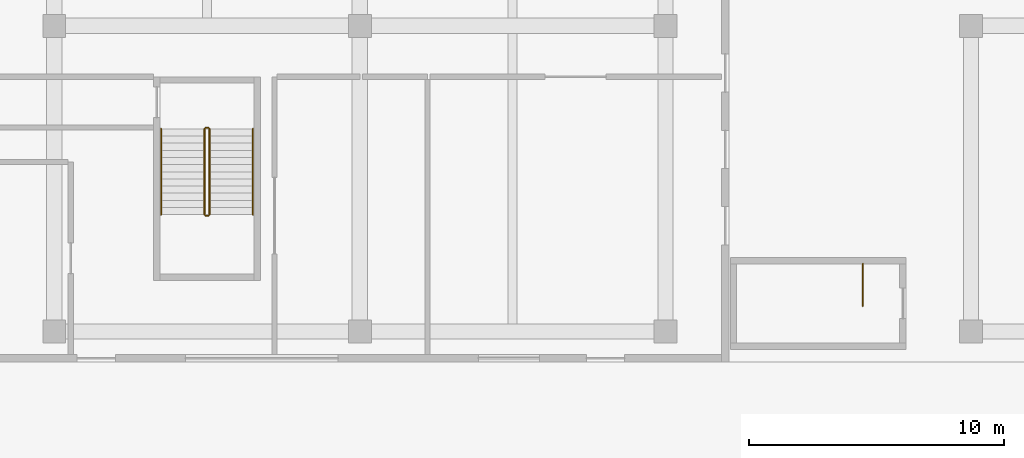
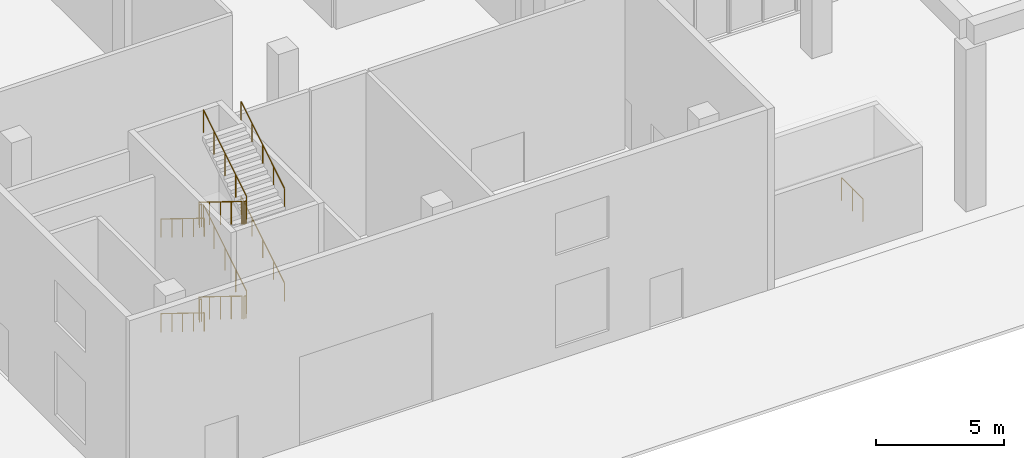
# One storey, part 31 of 43: 13 railings.
"""IFC4 building model written with IfcOpenShell, lengths in metres."""

from ifc_helpers import new_model, si_unit, direction, frame, origin, origin_2d, place, context, subcontext, project, spatial, circle, extrude, material, type_object, element, save


model = new_model("IFC4")

# Units and contexts
model_context = context("Model", 3, precision=1e-05, world=origin(), true_north=direction((0.0, 1.0)))
body_context = subcontext(model_context, "Body", "Model", "MODEL_VIEW")
ifc_project = project(units=[si_unit("LENGTHUNIT", "METRE"), si_unit("AREAUNIT", "SQUARE_METRE"), si_unit("VOLUMEUNIT", "CUBIC_METRE"), si_unit("PLANEANGLEUNIT", "RADIAN"), si_unit("MASSUNIT", "GRAM", prefix="KILO")], contexts=[model_context])

# Site, building, storey
site_placement = place(None, origin())
site = spatial("IfcSite", under=ifc_project, at=site_placement, CompositionType="ELEMENT")
building_placement = place(site_placement, origin())
building = spatial("IfcBuilding", under=site, at=building_placement, Name="Kilnfold Tower and Market Hall", CompositionType="ELEMENT")
storey_placement = place(building_placement, origin())
storey = spatial("IfcBuildingStorey", under=building, at=storey_placement, Name="L00", CompositionType="ELEMENT", Elevation=0.0)

# Railings
ifc_material_1 = material(Name="Stainless steel 316", Category="steel")
railing_type_1 = type_object("IfcRailingType", Name="CAR PARK STAIR GUARD 1100", PredefinedType="GUARDRAIL", material=ifc_material_1)
railing_1_placement = place(storey_placement, frame((-22.89990234375, -40.0, 0.0)))
element("IfcRailing", 1, at=railing_1_placement, inside=storey, type_object=railing_type_1, Name="L00 CS1 top well guard 1", PredefinedType="GUARDRAIL", context=body_context, shape_type="SweptSolid", body=[
    extrude(circle(Radius=0.02392578125, at=origin_2d()), frame((0.0, 0.0, 1.076171875), z_axis=(0.0, -1.0, 0.0), x_axis=(1.0, 0.0, 0.0)), (0.0, 0.0, 1.0), 1.64990234375),
    extrude(circle(Radius=0.02099609375, at=origin_2d()), origin(), (0.0, 0.0, 1.0), 1.052001953125),
    extrude(circle(Radius=0.02099609375, at=origin_2d()), frame((0.0, -0.824951171875, 0.0)), (0.0, 0.0, 1.0), 1.052001953125),
    extrude(circle(Radius=0.02099609375, at=origin_2d()), frame((0.0, -1.64990234375, 0.0)), (0.0, 0.0, 1.0), 1.052001953125),
])
ifc_material_2 = material(Name="Steel S355", Category="steel")
railing_type_2 = type_object("IfcRailingType", Name="HALL STAIR GUARD 1100", PredefinedType="GUARDRAIL", material=ifc_material_2)
railing_2_placement = place(storey_placement, frame((-48.75, -34.699951171875, 0.173095703125)))
element("IfcRailing", 2, at=railing_2_placement, inside=storey, type_object=railing_type_2, Name="L00 MS1 stair guard 1", PredefinedType="GUARDRAIL", context=body_context, shape_type="SweptSolid", body=[
    extrude(circle(Radius=0.02392578125, at=origin_2d()), frame((0.0, 0.0, 1.076171875), z_axis=(0.0, -0.850623216509, 0.525775754039), x_axis=(1.0, 0.0, 0.0)), (0.0, 0.0, 1.0), 3.9501953125),
    extrude(circle(Radius=0.02099609375, at=origin_2d()), origin(), (0.0, 0.0, 1.0), 1.052001953125),
    extrude(circle(Radius=0.02099609375, at=origin_2d()), frame((0.0, -0.840087890625, 0.519287109375)), (0.0, 0.0, 1.0), 1.052001953125),
    extrude(circle(Radius=0.02099609375, at=origin_2d()), frame((0.0, -1.68017578125, 1.03857421875)), (0.0, 0.0, 1.0), 1.052001953125),
    extrude(circle(Radius=0.02099609375, at=origin_2d()), frame((0.0, -2.52001953125, 1.5576171875)), (0.0, 0.0, 1.0), 1.052001953125),
    extrude(circle(Radius=0.02099609375, at=origin_2d()), frame((0.0, -3.360107421875, 2.076904296875)), (0.0, 0.0, 1.0), 1.052001953125),
])
railing_3_placement = place(storey_placement, frame((-48.699951171875, -38.110107421875, 2.25)))
element("IfcRailing", 3, at=railing_3_placement, inside=storey, type_object=railing_type_2, Name="L00 MS1 stair guard 2", PredefinedType="GUARDRAIL", context=body_context, shape_type="SweptSolid", body=[
    extrude(circle(Radius=0.02392578125, at=origin_2d()), frame((0.0, 0.0, 1.076171875), z_axis=(1.0, 0.0, 0.0), x_axis=(0.0, 1.0, 0.0)), (0.0, 0.0, 1.0), 0.099853515625),
    extrude(circle(Radius=0.02099609375, at=origin_2d()), origin(), (0.0, 0.0, 1.0), 1.052001953125),
    extrude(circle(Radius=0.02099609375, at=origin_2d()), frame((0.099853515625, 0.0, 0.0)), (0.0, 0.0, 1.0), 1.052001953125),
])
railing_4_placement = place(storey_placement, frame((-48.550048828125, -38.06005859375, 2.423095703125)))
element("IfcRailing", 4, at=railing_4_placement, inside=storey, type_object=railing_type_2, Name="L00 MS1 stair guard 3", PredefinedType="GUARDRAIL", context=body_context, shape_type="SweptSolid", body=[
    extrude(circle(Radius=0.02392578125, at=origin_2d()), frame((0.0, 0.0, 1.076171875), z_axis=(0.0, 0.850623216509, 0.525775754039), x_axis=(-1.0, 0.0, 0.0)), (0.0, 0.0, 1.0), 3.9501953125),
    extrude(circle(Radius=0.02099609375, at=origin_2d()), origin(), (0.0, 0.0, 1.0), 1.052001953125),
    extrude(circle(Radius=0.02099609375, at=origin_2d()), frame((0.0, 0.840087890625, 0.519287109375)), (0.0, 0.0, 1.0), 1.052001953125),
    extrude(circle(Radius=0.02099609375, at=origin_2d()), frame((0.0, 1.68017578125, 1.03857421875)), (0.0, 0.0, 1.0), 1.052001953125),
    extrude(circle(Radius=0.02099609375, at=origin_2d()), frame((0.0, 2.52001953125, 1.5576171875)), (0.0, 0.0, 1.0), 1.052001953125),
    extrude(circle(Radius=0.02099609375, at=origin_2d()), frame((0.0, 3.360107421875, 2.076904296875)), (0.0, 0.0, 1.0), 1.052001953125),
])
railing_5_placement = place(storey_placement, frame((-48.699951171875, -34.64990234375, 4.5)))
element("IfcRailing", 5, at=railing_5_placement, inside=storey, type_object=railing_type_2, Name="L00 MS1 stair guard 4", PredefinedType="GUARDRAIL", context=body_context, shape_type="SweptSolid", body=[
    extrude(circle(Radius=0.02392578125, at=origin_2d()), frame((0.0, 0.0, 1.076171875), z_axis=(1.0, 0.0, 0.0), x_axis=(0.0, 1.0, 0.0)), (0.0, 0.0, 1.0), 0.099853515625),
    extrude(circle(Radius=0.02099609375, at=origin_2d()), origin(), (0.0, 0.0, 1.0), 1.052001953125),
    extrude(circle(Radius=0.02099609375, at=origin_2d()), frame((0.099853515625, 0.0, 0.0)), (0.0, 0.0, 1.0), 1.052001953125),
])
railing_6_placement = place(storey_placement, frame((-48.75, -34.699951171875, 4.673095703125)))
element("IfcRailing", 6, at=railing_6_placement, inside=storey, type_object=railing_type_2, Name="L00 MS1 stair guard 5", PredefinedType="GUARDRAIL", context=body_context, shape_type="SweptSolid", body=[
    extrude(circle(Radius=0.02392578125, at=origin_2d()), frame((0.0, 0.0, 1.076171875), z_axis=(0.0, -0.850623216509, 0.525775754039), x_axis=(1.0, 0.0, 0.0)), (0.0, 0.0, 1.0), 3.9501953125),
    extrude(circle(Radius=0.02099609375, at=origin_2d()), origin(), (0.0, 0.0, 1.0), 1.052001953125),
    extrude(circle(Radius=0.02099609375, at=origin_2d()), frame((0.0, -0.840087890625, 0.519287109375)), (0.0, 0.0, 1.0), 1.052001953125),
    extrude(circle(Radius=0.02099609375, at=origin_2d()), frame((0.0, -1.68017578125, 1.03857421875)), (0.0, 0.0, 1.0), 1.052001953125),
    extrude(circle(Radius=0.02099609375, at=origin_2d()), frame((0.0, -2.52001953125, 1.5576171875)), (0.0, 0.0, 1.0), 1.052001953125),
    extrude(circle(Radius=0.02099609375, at=origin_2d()), frame((0.0, -3.360107421875, 2.076904296875)), (0.0, 0.0, 1.0), 1.052001953125),
])
railing_7_placement = place(storey_placement, frame((-48.699951171875, -38.110107421875, 6.75)))
element("IfcRailing", 7, at=railing_7_placement, inside=storey, type_object=railing_type_2, Name="L00 MS1 stair guard 6", PredefinedType="GUARDRAIL", context=body_context, shape_type="SweptSolid", body=[
    extrude(circle(Radius=0.02392578125, at=origin_2d()), frame((0.0, 0.0, 1.076171875), z_axis=(1.0, 0.0, 0.0), x_axis=(0.0, 1.0, 0.0)), (0.0, 0.0, 1.0), 0.099853515625),
    extrude(circle(Radius=0.02099609375, at=origin_2d()), origin(), (0.0, 0.0, 1.0), 1.052001953125),
    extrude(circle(Radius=0.02099609375, at=origin_2d()), frame((0.099853515625, 0.0, 0.0)), (0.0, 0.0, 1.0), 1.052001953125),
])
railing_8_placement = place(storey_placement, frame((-48.550048828125, -38.06005859375, 6.923095703125)))
element("IfcRailing", 8, at=railing_8_placement, inside=storey, type_object=railing_type_2, Name="L00 MS1 stair guard 7", PredefinedType="GUARDRAIL", context=body_context, shape_type="SweptSolid", body=[
    extrude(circle(Radius=0.02392578125, at=origin_2d()), frame((0.0, 0.0, 1.076171875), z_axis=(0.0, 0.850623216509, 0.525775754039), x_axis=(-1.0, 0.0, 0.0)), (0.0, 0.0, 1.0), 3.9501953125),
    extrude(circle(Radius=0.02099609375, at=origin_2d()), origin(), (0.0, 0.0, 1.0), 1.052001953125),
    extrude(circle(Radius=0.02099609375, at=origin_2d()), frame((0.0, 0.840087890625, 0.519287109375)), (0.0, 0.0, 1.0), 1.052001953125),
    extrude(circle(Radius=0.02099609375, at=origin_2d()), frame((0.0, 1.68017578125, 1.03857421875)), (0.0, 0.0, 1.0), 1.052001953125),
    extrude(circle(Radius=0.02099609375, at=origin_2d()), frame((0.0, 2.52001953125, 1.5576171875)), (0.0, 0.0, 1.0), 1.052001953125),
    extrude(circle(Radius=0.02099609375, at=origin_2d()), frame((0.0, 3.360107421875, 2.076904296875)), (0.0, 0.0, 1.0), 1.052001953125),
])
railing_9_placement = place(storey_placement, frame((-48.699951171875, -34.64990234375, 0.0)))
element("IfcRailing", 9, at=railing_9_placement, inside=storey, type_object=railing_type_2, Name="L00 MS1 stair guard 8", PredefinedType="GUARDRAIL", context=body_context, shape_type="SweptSolid", body=[
    extrude(circle(Radius=0.02392578125, at=origin_2d()), frame((0.0, 0.0, 1.076171875), z_axis=(1.0, 0.0, 0.0), x_axis=(0.0, 1.0, 0.0)), (0.0, 0.0, 1.0), 0.099853515625),
    extrude(circle(Radius=0.02099609375, at=origin_2d()), origin(), (0.0, 0.0, 1.0), 1.052001953125),
    extrude(circle(Radius=0.02099609375, at=origin_2d()), frame((0.099853515625, 0.0, 0.0)), (0.0, 0.0, 1.0), 1.052001953125),
])
ifc_material_3 = material(Name="Steel S355", Category="steel")
railing_type_3 = type_object("IfcRailingType", Name="HALL STAIR HANDRAIL", PredefinedType="HANDRAIL", material=ifc_material_3)
railing_10_placement = place(storey_placement, frame((-50.449951171875, -34.699951171875, 0.173095703125)))
element("IfcRailing", 10, at=railing_10_placement, inside=storey, type_object=railing_type_3, Name="L00 MS1 stair handrail 1", PredefinedType="HANDRAIL", context=body_context, shape_type="SweptSolid", body=[
    extrude(circle(Radius=0.02392578125, at=origin_2d()), frame((0.0, 0.0, 0.8759765625), z_axis=(0.0, -0.850623216509, 0.525775754039), x_axis=(1.0, 0.0, 0.0)), (0.0, 0.0, 1.0), 3.9501953125),
    extrude(circle(Radius=0.02099609375, at=origin_2d()), origin(), (0.0, 0.0, 1.0), 0.851806640625),
    extrude(circle(Radius=0.02099609375, at=origin_2d()), frame((0.0, -0.840087890625, 0.519287109375)), (0.0, 0.0, 1.0), 0.851806640625),
    extrude(circle(Radius=0.02099609375, at=origin_2d()), frame((0.0, -1.68017578125, 1.03857421875)), (0.0, 0.0, 1.0), 0.851806640625),
    extrude(circle(Radius=0.02099609375, at=origin_2d()), frame((0.0, -2.52001953125, 1.5576171875)), (0.0, 0.0, 1.0), 0.851806640625),
    extrude(circle(Radius=0.02099609375, at=origin_2d()), frame((0.0, -3.360107421875, 2.076904296875)), (0.0, 0.0, 1.0), 0.851806640625),
])
railing_11_placement = place(storey_placement, frame((-46.85009765625, -38.06005859375, 2.423095703125)))
element("IfcRailing", 11, at=railing_11_placement, inside=storey, type_object=railing_type_3, Name="L00 MS1 stair handrail 2", PredefinedType="HANDRAIL", context=body_context, shape_type="SweptSolid", body=[
    extrude(circle(Radius=0.02392578125, at=origin_2d()), frame((0.0, 0.0, 0.8759765625), z_axis=(0.0, 0.850623216509, 0.525775754039), x_axis=(-1.0, 0.0, 0.0)), (0.0, 0.0, 1.0), 3.9501953125),
    extrude(circle(Radius=0.02099609375, at=origin_2d()), origin(), (0.0, 0.0, 1.0), 0.851806640625),
    extrude(circle(Radius=0.02099609375, at=origin_2d()), frame((0.0, 0.840087890625, 0.519287109375)), (0.0, 0.0, 1.0), 0.851806640625),
    extrude(circle(Radius=0.02099609375, at=origin_2d()), frame((0.0, 1.68017578125, 1.03857421875)), (0.0, 0.0, 1.0), 0.851806640625),
    extrude(circle(Radius=0.02099609375, at=origin_2d()), frame((0.0, 2.52001953125, 1.5576171875)), (0.0, 0.0, 1.0), 0.851806640625),
    extrude(circle(Radius=0.02099609375, at=origin_2d()), frame((0.0, 3.360107421875, 2.076904296875)), (0.0, 0.0, 1.0), 0.851806640625),
])
railing_12_placement = place(storey_placement, frame((-50.449951171875, -34.699951171875, 4.673095703125)))
element("IfcRailing", 12, at=railing_12_placement, inside=storey, type_object=railing_type_3, Name="L00 MS1 stair handrail 3", PredefinedType="HANDRAIL", context=body_context, shape_type="SweptSolid", body=[
    extrude(circle(Radius=0.02392578125, at=origin_2d()), frame((0.0, 0.0, 0.8759765625), z_axis=(0.0, -0.850623216509, 0.525775754039), x_axis=(1.0, 0.0, 0.0)), (0.0, 0.0, 1.0), 3.9501953125),
    extrude(circle(Radius=0.02099609375, at=origin_2d()), origin(), (0.0, 0.0, 1.0), 0.851806640625),
    extrude(circle(Radius=0.02099609375, at=origin_2d()), frame((0.0, -0.840087890625, 0.519287109375)), (0.0, 0.0, 1.0), 0.851806640625),
    extrude(circle(Radius=0.02099609375, at=origin_2d()), frame((0.0, -1.68017578125, 1.03857421875)), (0.0, 0.0, 1.0), 0.851806640625),
    extrude(circle(Radius=0.02099609375, at=origin_2d()), frame((0.0, -2.52001953125, 1.5576171875)), (0.0, 0.0, 1.0), 0.851806640625),
    extrude(circle(Radius=0.02099609375, at=origin_2d()), frame((0.0, -3.360107421875, 2.076904296875)), (0.0, 0.0, 1.0), 0.851806640625),
])
railing_13_placement = place(storey_placement, frame((-46.85009765625, -38.06005859375, 6.923095703125)))
element("IfcRailing", 13, at=railing_13_placement, inside=storey, type_object=railing_type_3, Name="L00 MS1 stair handrail 4", PredefinedType="HANDRAIL", context=body_context, shape_type="SweptSolid", body=[
    extrude(circle(Radius=0.02392578125, at=origin_2d()), frame((0.0, 0.0, 0.8759765625), z_axis=(0.0, 0.850623216509, 0.525775754039), x_axis=(-1.0, 0.0, 0.0)), (0.0, 0.0, 1.0), 3.9501953125),
    extrude(circle(Radius=0.02099609375, at=origin_2d()), origin(), (0.0, 0.0, 1.0), 0.851806640625),
    extrude(circle(Radius=0.02099609375, at=origin_2d()), frame((0.0, 0.840087890625, 0.519287109375)), (0.0, 0.0, 1.0), 0.851806640625),
    extrude(circle(Radius=0.02099609375, at=origin_2d()), frame((0.0, 1.68017578125, 1.03857421875)), (0.0, 0.0, 1.0), 0.851806640625),
    extrude(circle(Radius=0.02099609375, at=origin_2d()), frame((0.0, 2.52001953125, 1.5576171875)), (0.0, 0.0, 1.0), 0.851806640625),
    extrude(circle(Radius=0.02099609375, at=origin_2d()), frame((0.0, 3.360107421875, 2.076904296875)), (0.0, 0.0, 1.0), 0.851806640625),
])

save(model, "model.ifc")
